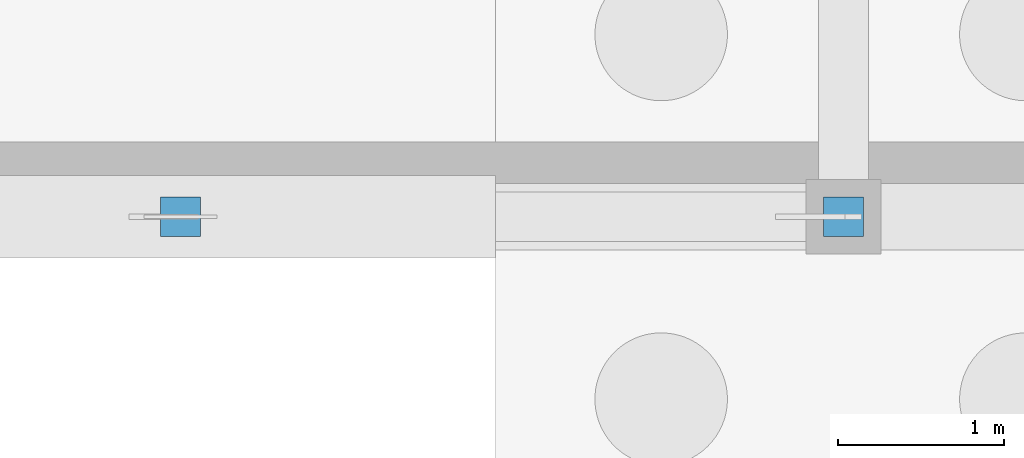
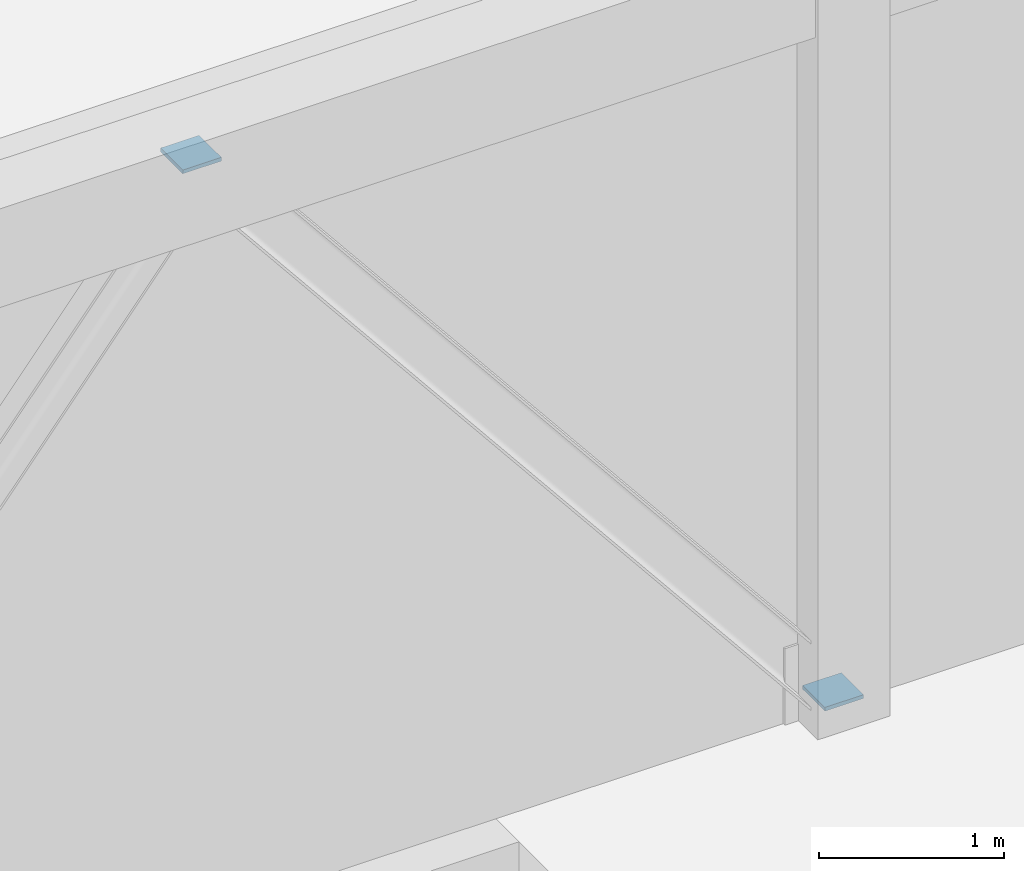
# One storey, part 63 of 71: 2 discrete accessories.
"""IFC4 building model written with IfcOpenShell, lengths in metres."""

from ifc_helpers import new_model, si_unit, direction, frame, origin, origin_2d, place, context, subcontext, project, spatial, rectangle, extrude, material, type_object, element, save


model = new_model("IFC4")

# Units and contexts
model_context = context("Model", 3, precision=1e-05, world=origin(), true_north=direction((0.0, 1.0)))
body_context = subcontext(model_context, "Body", "Model", "MODEL_VIEW")
ifc_project = project(units=[si_unit("LENGTHUNIT", "METRE"), si_unit("AREAUNIT", "SQUARE_METRE"), si_unit("VOLUMEUNIT", "CUBIC_METRE"), si_unit("PLANEANGLEUNIT", "RADIAN"), si_unit("MASSUNIT", "GRAM", prefix="KILO")], contexts=[model_context])

# Site, building, storey
site_placement = place(None, origin())
site = spatial("IfcSite", under=ifc_project, at=site_placement, CompositionType="ELEMENT")
building_placement = place(site_placement, origin())
building = spatial("IfcBuilding", under=site, at=building_placement, Name="Sundkrona Museum", CompositionType="ELEMENT")
storey_placement = place(building_placement, frame((0.0, 0.0, -5.39990234375)))
storey = spatial("IfcBuildingStorey", under=building, at=storey_placement, Name="B1", CompositionType="ELEMENT", Elevation=-5.39990234375)

# Discrete accessories
ifc_material = material(Name="Stainless Steel EN 1.4404 Cleat", Category="steel")
discrete_accessory_type = type_object("IfcDiscreteAccessoryType", Name="BRK-FIN-01", PredefinedType="BRACKET", material=ifc_material)
for number, where, z_axis, x_axis, name in (
    (1, (68.0, 78.0, 4.927490234375), (0.0, 0.0, 1.0), (1.0, 0.0, 0.0), "Brace and Strut End Connection Plate BR-B1-018A-2"),
    (2, (72.0, 78.0, -0.012451171875), (0.0, 0.0, 1.0), (1.0, 0.0, 0.0), "Brace and Strut End Connection Plate BR-B1-018B-1"),
):
    element("IfcDiscreteAccessory", number, at=place(storey_placement, frame(where, z_axis=z_axis, x_axis=x_axis)), inside=storey, type_object=discrete_accessory_type, Name=name, PredefinedType="BRACKET", context=body_context, shape_type="SweptSolid", body=[
        extrude(rectangle(XDim=0.239990234375, YDim=0.239990234375, at=origin_2d()), origin(), (0.0, 0.0, 1.0), 0.02490234375),
    ])

save(model, "model.ifc")
